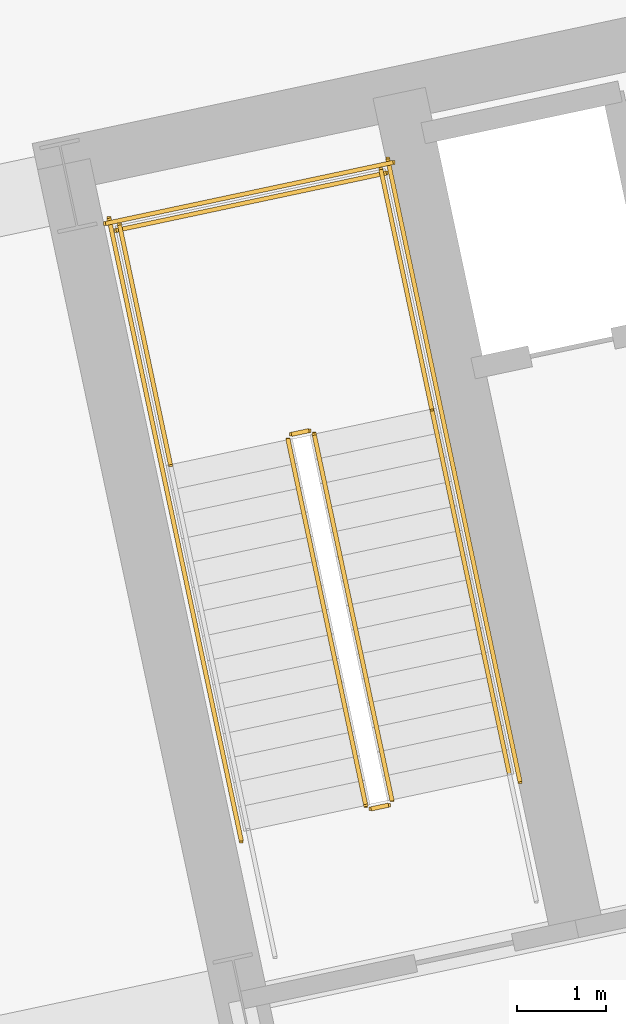
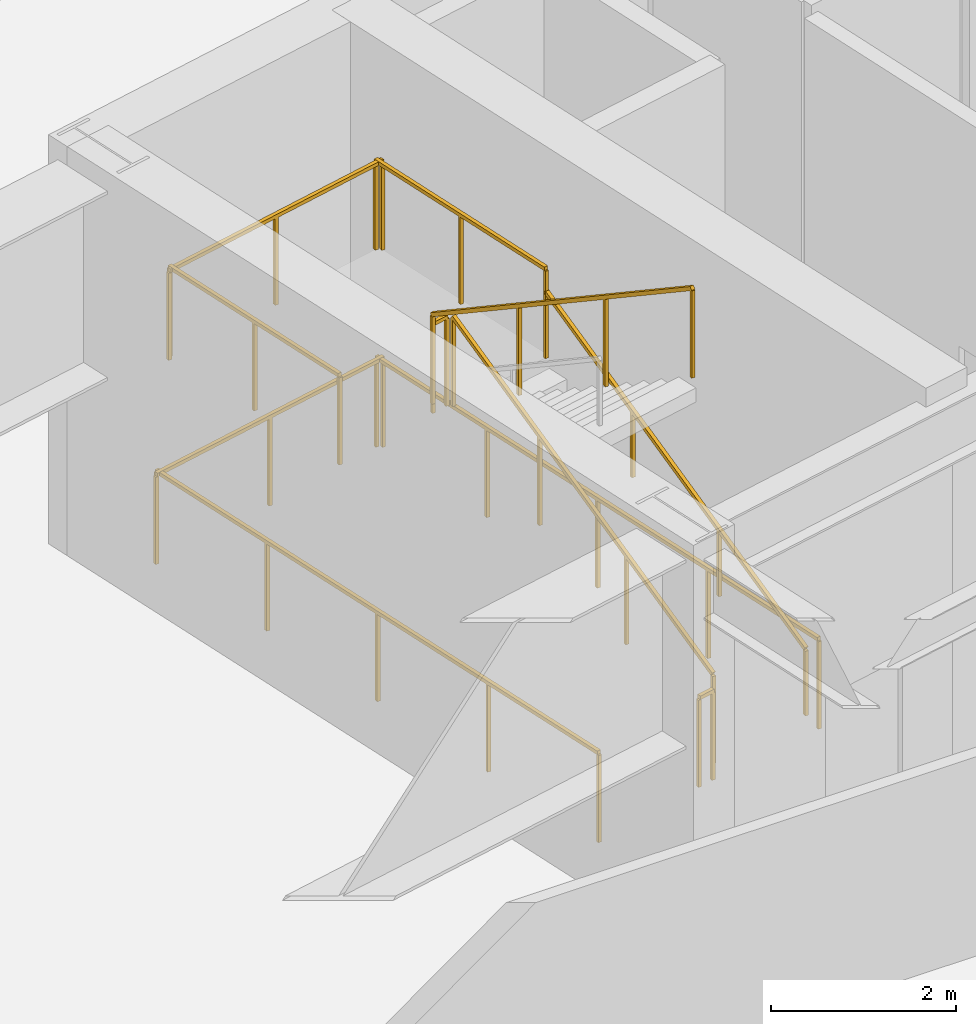
# One storey, part 26 of 29: 11 railings.
"""IFC4 building model written with IfcOpenShell, lengths in metres."""

from ifc_helpers import new_model, si_unit, direction, frame, origin, origin_2d, place, context, subcontext, project, spatial, rectangle, extrude, material, type_object, element, save


model = new_model("IFC4")

# Units and contexts
model_context = context("Model", 3, precision=1e-05, world=origin(), true_north=direction((0.0, 1.0)))
body_context = subcontext(model_context, "Body", "Model", "MODEL_VIEW")
ifc_project = project(units=[si_unit("LENGTHUNIT", "METRE"), si_unit("AREAUNIT", "SQUARE_METRE"), si_unit("VOLUMEUNIT", "CUBIC_METRE"), si_unit("PLANEANGLEUNIT", "RADIAN"), si_unit("MASSUNIT", "GRAM", prefix="KILO")], contexts=[model_context])

# Site, building, storey
site_placement = place(None, origin())
site = spatial("IfcSite", under=ifc_project, at=site_placement, CompositionType="ELEMENT")
building_placement = place(site_placement, origin())
building = spatial("IfcBuilding", under=site, at=building_placement, Name="Haevon Station Towers", CompositionType="ELEMENT")
storey_placement = place(building_placement, frame((0.0, 0.0, 25.199951171875)))
storey = spatial("IfcBuildingStorey", under=building, at=storey_placement, Name="L05", CompositionType="ELEMENT", Elevation=25.199951171875)

# Railings
ifc_material = material(Name="Steel S355", Category="steel")
railing_type_1 = type_object("IfcRailingType", Name="GRD-STR1200", PredefinedType="GUARDRAIL", material=ifc_material)
railing_1_placement = place(storey_placement, frame((100.44140625, 39.69287109375, 0.168701171875)))
element("IfcRailing", 1, at=railing_1_placement, inside=storey, type_object=railing_type_1, Name="L05 ST3 Stair Guard 1", PredefinedType="GUARDRAIL", context=body_context, shape_type="SweptSolid", body=[
    extrude(rectangle(XDim=0.048095703125, YDim=0.048095703125, at=origin_2d()), frame((0.0, 0.0, 1.17578125), z_axis=(-0.1780862493, 0.837757147603, 0.516186254612), x_axis=(-0.978143927149, -0.207928972925, 0.0)), (0.0, 0.0, 1.0), 4.90380859375),
    extrude(rectangle(XDim=0.0419921875, YDim=0.0419921875, at=origin_2d()), origin(), (0.0, 0.0, 1.0), 1.15185546875),
    extrude(rectangle(XDim=0.0419921875, YDim=0.0419921875, at=origin_2d()), frame((-0.291015625, 1.369384765625, 0.84375)), (0.0, 0.0, 1.0), 1.15185546875),
    extrude(rectangle(XDim=0.0419921875, YDim=0.0419921875, at=origin_2d()), frame((-0.582275390625, 2.73876953125, 1.6875)), (0.0, 0.0, 1.0), 1.15185546875),
    extrude(rectangle(XDim=0.0419921875, YDim=0.0419921875, at=origin_2d()), frame((-0.873291015625, 4.108154296875, 2.53125)), (0.0, 0.0, 1.0), 1.15185546875),
])
railing_2_placement = place(storey_placement, frame((99.5087890625, 43.839599609375, 2.699951171875)))
element("IfcRailing", 2, at=railing_2_placement, inside=storey, type_object=railing_type_1, Name="L05 ST3 Stair Guard 2", PredefinedType="GUARDRAIL", context=body_context, shape_type="SweptSolid", body=[
    extrude(rectangle(XDim=0.048095703125, YDim=0.048095703125, at=origin_2d()), frame((0.0, 0.0, 1.17578125), z_axis=(-0.977962931203, -0.208778603291, 0.0), x_axis=(0.208778603291, -0.977962931203, 0.0)), (0.0, 0.0, 1.0), 0.199951171875),
    extrude(rectangle(XDim=0.0419921875, YDim=0.0419921875, at=origin_2d()), origin(), (0.0, 0.0, 1.0), 1.15185546875),
    extrude(rectangle(XDim=0.0419921875, YDim=0.0419921875, at=origin_2d()), frame((-0.195556640625, -0.041748046875, 0.0)), (0.0, 0.0, 1.0), 1.15185546875),
])
railing_3_placement = place(storey_placement, frame((100.888671875, 44.08154296875, 2.699951171875)))
element("IfcRailing", 3, at=railing_3_placement, inside=storey, type_object=railing_type_1, Name="L05 ST3 Stair Guard 3", PredefinedType="GUARDRAIL", context=body_context, shape_type="SweptSolid", body=[
    extrude(rectangle(XDim=0.048095703125, YDim=0.048095703125, at=origin_2d()), frame((0.0, 0.0, 1.17578125), z_axis=(-0.207916090984, 0.978146665439, 0.0), x_axis=(-0.978146665439, -0.207916090984, 0.0)), (0.0, 0.0, 1.0), 2.75),
    extrude(rectangle(XDim=0.0419921875, YDim=0.0419921875, at=origin_2d()), origin(), (0.0, 0.0, 1.0), 1.15185546875),
    extrude(rectangle(XDim=0.0419921875, YDim=0.0419921875, at=origin_2d()), frame((-0.285888671875, 1.344970703125, 0.0)), (0.0, 0.0, 1.0), 1.15185546875),
    extrude(rectangle(XDim=0.0419921875, YDim=0.0419921875, at=origin_2d()), frame((-0.57177734375, 2.68994140625, 0.0)), (0.0, 0.0, 1.0), 1.15185546875),
])
railing_4_placement = place(storey_placement, frame((97.9541015625, 43.4580078125, 2.699951171875)))
element("IfcRailing", 4, at=railing_4_placement, inside=storey, type_object=railing_type_1, Name="L05 ST3 Stair Guard 4", PredefinedType="GUARDRAIL", context=body_context, shape_type="SweptSolid", body=[
    extrude(rectangle(XDim=0.048095703125, YDim=0.048095703125, at=origin_2d()), frame((0.0, 0.0, 1.17578125), z_axis=(-0.207831149236, 0.97816471691, 0.0), x_axis=(-0.97816471691, -0.207831149236, 0.0)), (0.0, 0.0, 1.0), 2.75),
    extrude(rectangle(XDim=0.0419921875, YDim=0.0419921875, at=origin_2d()), origin(), (0.0, 0.0, 1.0), 1.15185546875),
    extrude(rectangle(XDim=0.0419921875, YDim=0.0419921875, at=origin_2d()), frame((-0.28564453125, 1.344970703125, 0.0)), (0.0, 0.0, 1.0), 1.15185546875),
    extrude(rectangle(XDim=0.0419921875, YDim=0.0419921875, at=origin_2d()), frame((-0.571533203125, 2.68994140625, 0.0)), (0.0, 0.0, 1.0), 1.15185546875),
])
railing_5_placement = place(storey_placement, frame((100.376220703125, 46.733154296875, 2.699951171875)))
element("IfcRailing", 5, at=railing_5_placement, inside=storey, type_object=railing_type_1, Name="L05 ST3 Stair Guard 5", PredefinedType="GUARDRAIL", context=body_context, shape_type="SweptSolid", body=[
    extrude(rectangle(XDim=0.048095703125, YDim=0.048095703125, at=origin_2d()), frame((0.0, 0.0, 1.17578125), z_axis=(-0.978146839882, -0.207915270313, 0.0), x_axis=(0.207915270313, -0.978146839882, 0.0)), (0.0, 0.0, 1.0), 3.099853515625),
    extrude(rectangle(XDim=0.0419921875, YDim=0.0419921875, at=origin_2d()), origin(), (0.0, 0.0, 1.0), 1.15185546875),
    extrude(rectangle(XDim=0.0419921875, YDim=0.0419921875, at=origin_2d()), frame((-1.51611328125, -0.322265625, 0.0)), (0.0, 0.0, 1.0), 1.15185546875),
    extrude(rectangle(XDim=0.0419921875, YDim=0.0419921875, at=origin_2d()), frame((-3.0322265625, -0.64453125, 0.0)), (0.0, 0.0, 1.0), 1.15185546875),
])
railing_6_placement = place(storey_placement, frame((99.274658203125, 43.738525390625, 2.868896484375)))
element("IfcRailing", 6, at=railing_6_placement, inside=storey, type_object=railing_type_1, Name="L05 ST3 Stair Guard 6", PredefinedType="GUARDRAIL", context=body_context, shape_type="SweptSolid", body=[
    extrude(rectangle(XDim=0.048095703125, YDim=0.048095703125, at=origin_2d()), frame((0.0, 0.0, 1.17578125), z_axis=(0.1780862493, -0.837757147603, 0.516186254612), x_axis=(0.978143927149, 0.207928972925, 0.0)), (0.0, 0.0, 1.0), 4.90380859375),
    extrude(rectangle(XDim=0.0419921875, YDim=0.0419921875, at=origin_2d()), origin(), (0.0, 0.0, 1.0), 1.15185546875),
    extrude(rectangle(XDim=0.0419921875, YDim=0.0419921875, at=origin_2d()), frame((0.291015625, -1.369384765625, 0.84375)), (0.0, 0.0, 1.0), 1.15185546875),
    extrude(rectangle(XDim=0.0419921875, YDim=0.0419921875, at=origin_2d()), frame((0.582275390625, -2.73876953125, 1.6875)), (0.0, 0.0, 1.0), 1.15185546875),
    extrude(rectangle(XDim=0.0419921875, YDim=0.0419921875, at=origin_2d()), frame((0.873291015625, -4.108154296875, 2.53125)), (0.0, 0.0, 1.0), 1.15185546875),
])
railing_7_placement = place(storey_placement, frame((100.40283203125, 39.633544921875, 0.0)))
element("IfcRailing", 7, at=railing_7_placement, inside=storey, type_object=railing_type_1, Name="L05 ST3 Stair Guard 7", PredefinedType="GUARDRAIL", context=body_context, shape_type="SweptSolid", body=[
    extrude(rectangle(XDim=0.048095703125, YDim=0.048095703125, at=origin_2d()), frame((0.0, 0.0, 1.17578125), z_axis=(-0.977962931203, -0.208778603291, 0.0), x_axis=(0.208778603291, -0.977962931203, 0.0)), (0.0, 0.0, 1.0), 0.199951171875),
    extrude(rectangle(XDim=0.0419921875, YDim=0.0419921875, at=origin_2d()), origin(), (0.0, 0.0, 1.0), 1.15185546875),
    extrude(rectangle(XDim=0.0419921875, YDim=0.0419921875, at=origin_2d()), frame((-0.195556640625, -0.041748046875, 0.0)), (0.0, 0.0, 1.0), 1.15185546875),
])
railing_8_placement = place(storey_placement, frame((101.88037109375, 39.896484375, 0.0)))
element("IfcRailing", 8, at=railing_8_placement, inside=storey, type_object=railing_type_1, Name="L05 ST3 Stair Guard 10", PredefinedType="GUARDRAIL", context=body_context, shape_type="SweptSolid", body=[
    extrude(rectangle(XDim=0.048095703125, YDim=0.048095703125, at=origin_2d()), frame((0.0, 0.0, 1.17578125), z_axis=(-0.207882442208, 0.978153817261, 0.0), x_axis=(-0.978153817261, -0.207882442208, 0.0)), (0.0, 0.0, 1.0), 7.14990234375),
    extrude(rectangle(XDim=0.0419921875, YDim=0.0419921875, at=origin_2d()), origin(), (0.0, 0.0, 1.0), 1.15185546875),
    extrude(rectangle(XDim=0.0419921875, YDim=0.0419921875, at=origin_2d()), frame((-0.37158203125, 1.74853515625, 0.0)), (0.0, 0.0, 1.0), 1.15185546875),
    extrude(rectangle(XDim=0.0419921875, YDim=0.0419921875, at=origin_2d()), frame((-0.7431640625, 3.496826171875, 0.0)), (0.0, 0.0, 1.0), 1.15185546875),
    extrude(rectangle(XDim=0.0419921875, YDim=0.0419921875, at=origin_2d()), frame((-1.11474609375, 5.2451171875, 0.0)), (0.0, 0.0, 1.0), 1.15185546875),
    extrude(rectangle(XDim=0.0419921875, YDim=0.0419921875, at=origin_2d()), frame((-1.486328125, 6.99365234375, 0.0)), (0.0, 0.0, 1.0), 1.15185546875),
])
railing_9_placement = place(storey_placement, frame((98.75048828125, 39.231201171875, 0.0)))
element("IfcRailing", 9, at=railing_9_placement, inside=storey, type_object=railing_type_1, Name="L05 ST3 Stair Guard 11", PredefinedType="GUARDRAIL", context=body_context, shape_type="SweptSolid", body=[
    extrude(rectangle(XDim=0.048095703125, YDim=0.048095703125, at=origin_2d()), frame((0.0, 0.0, 1.17578125), z_axis=(-0.207915112487, 0.978146873429, 0.0), x_axis=(-0.978146873429, -0.207915112487, 0.0)), (0.0, 0.0, 1.0), 7.14990234375),
    extrude(rectangle(XDim=0.0419921875, YDim=0.0419921875, at=origin_2d()), origin(), (0.0, 0.0, 1.0), 1.15185546875),
    extrude(rectangle(XDim=0.0419921875, YDim=0.0419921875, at=origin_2d()), frame((-0.37158203125, 1.74853515625, 0.0)), (0.0, 0.0, 1.0), 1.15185546875),
    extrude(rectangle(XDim=0.0419921875, YDim=0.0419921875, at=origin_2d()), frame((-0.7431640625, 3.496826171875, 0.0)), (0.0, 0.0, 1.0), 1.15185546875),
    extrude(rectangle(XDim=0.0419921875, YDim=0.0419921875, at=origin_2d()), frame((-1.114990234375, 5.2451171875, 0.0)), (0.0, 0.0, 1.0), 1.15185546875),
    extrude(rectangle(XDim=0.0419921875, YDim=0.0419921875, at=origin_2d()), frame((-1.486572265625, 6.99365234375, 0.0)), (0.0, 0.0, 1.0), 1.15185546875),
])
railing_10_placement = place(storey_placement, frame((100.453125, 46.8515625, 0.0)))
element("IfcRailing", 10, at=railing_10_placement, inside=storey, type_object=railing_type_1, Name="L05 ST3 Stair Guard 12", PredefinedType="GUARDRAIL", context=body_context, shape_type="SweptSolid", body=[
    extrude(rectangle(XDim=0.048095703125, YDim=0.048095703125, at=origin_2d()), frame((0.0, 0.0, 1.17578125), z_axis=(-0.978150764849, -0.207896804268, 0.0), x_axis=(0.207896804268, -0.978150764849, 0.0)), (0.0, 0.0, 1.0), 3.2998046875),
    extrude(rectangle(XDim=0.0419921875, YDim=0.0419921875, at=origin_2d()), origin(), (0.0, 0.0, 1.0), 1.15185546875),
    extrude(rectangle(XDim=0.0419921875, YDim=0.0419921875, at=origin_2d()), frame((-1.61376953125, -0.343017578125, 0.0)), (0.0, 0.0, 1.0), 1.15185546875),
    extrude(rectangle(XDim=0.0419921875, YDim=0.0419921875, at=origin_2d()), frame((-3.227783203125, -0.68603515625, 0.0)), (0.0, 0.0, 1.0), 1.15185546875),
])
railing_type_2 = type_object("IfcRailingType", Name="HND-STR900", PredefinedType="HANDRAIL", material=ifc_material)
railing_11_placement = place(storey_placement, frame((101.761962890625, 39.973388671875, 0.168701171875)))
element("IfcRailing", 11, at=railing_11_placement, inside=storey, type_object=railing_type_2, Name="L05 ST3 Stair Handrail 1", PredefinedType="HANDRAIL", context=body_context, shape_type="SweptSolid", body=[
    extrude(rectangle(XDim=0.048095703125, YDim=0.048095703125, at=origin_2d()), frame((0.0, 0.0, 0.8759765625), z_axis=(-0.1780862493, 0.837757147603, 0.516186254612), x_axis=(-0.978143927149, -0.207928972925, 0.0)), (0.0, 0.0, 1.0), 4.90380859375),
    extrude(rectangle(XDim=0.0419921875, YDim=0.0419921875, at=origin_2d()), origin(), (0.0, 0.0, 1.0), 0.851806640625),
    extrude(rectangle(XDim=0.0419921875, YDim=0.0419921875, at=origin_2d()), frame((-0.291015625, 1.369384765625, 0.84375)), (0.0, 0.0, 1.0), 0.851806640625),
    extrude(rectangle(XDim=0.0419921875, YDim=0.0419921875, at=origin_2d()), frame((-0.582275390625, 2.73876953125, 1.6875)), (0.0, 0.0, 1.0), 0.851806640625),
    extrude(rectangle(XDim=0.0419921875, YDim=0.0419921875, at=origin_2d()), frame((-0.873291015625, 4.108154296875, 2.53125)), (0.0, 0.0, 1.0), 0.851806640625),
])

save(model, "model.ifc")
